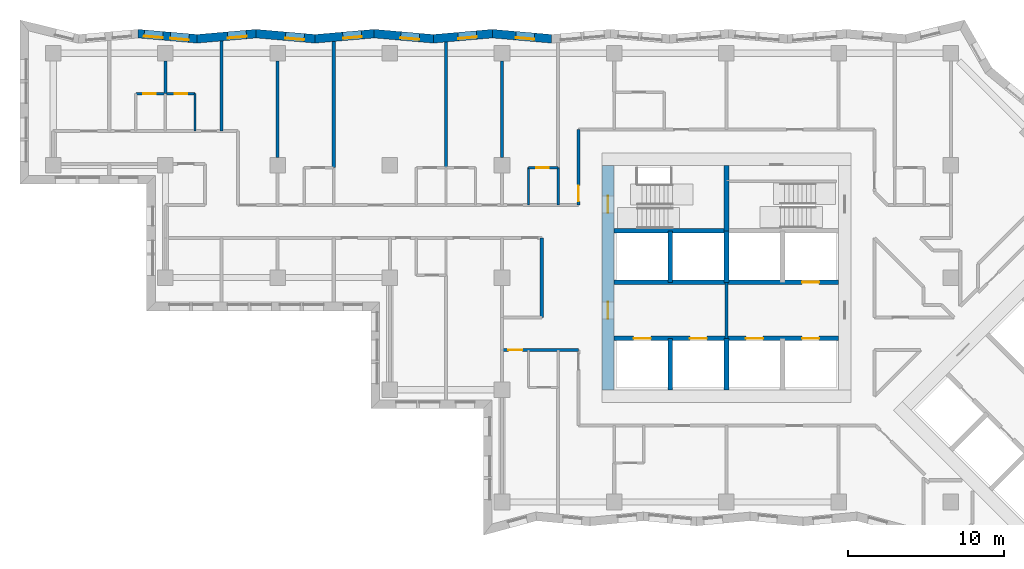
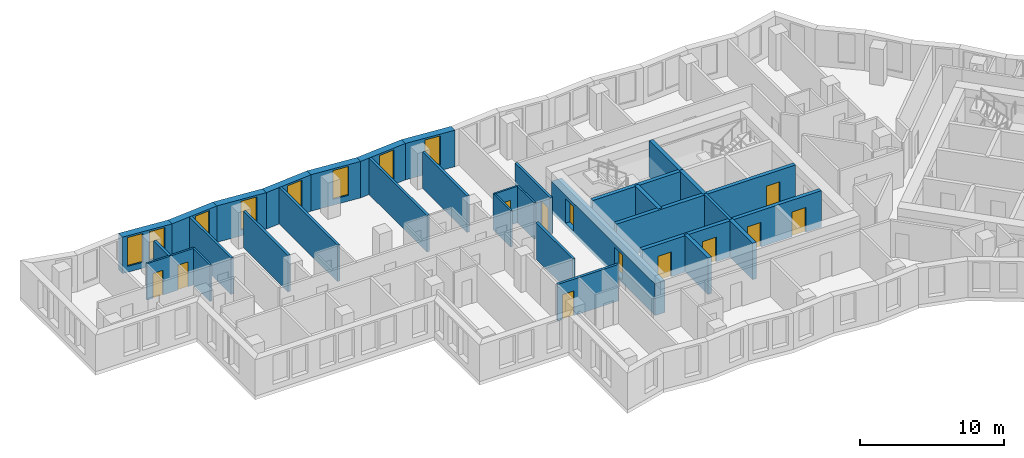
# One storey, part 5 of 12: 31 walls, 12 doors, 8 windows, 20 openings.
"""IFC4 building model written with IfcOpenShell, lengths in metres."""

from ifc_helpers import new_model, si_unit, direction, frame, frame_2d, origin, place, context, subcontext, project, spatial, polyline, rectangle, outline, extrude, material, layer, layer_set, type_object, element, fill, save


model = new_model("IFC4")

# Units and contexts
model_context = context("Model", 3, precision=1e-05, world=origin(), true_north=direction((0.0, 1.0)))
body_context = subcontext(model_context, "Body", "Model", "MODEL_VIEW")
ifc_project = project(units=[si_unit("LENGTHUNIT", "METRE"), si_unit("AREAUNIT", "SQUARE_METRE"), si_unit("VOLUMEUNIT", "CUBIC_METRE"), si_unit("PLANEANGLEUNIT", "RADIAN"), si_unit("MASSUNIT", "GRAM", prefix="KILO")], contexts=[model_context])

# Site, building, storey
site_placement = place(None, origin())
site = spatial("IfcSite", under=ifc_project, at=site_placement, CompositionType="ELEMENT")
building_placement = place(site_placement, origin())
building = spatial("IfcBuilding", under=site, at=building_placement, Name="Windrow Commons", CompositionType="ELEMENT")
storey_placement = place(building_placement, frame((0.0, 0.0, 84.6)))
storey = spatial("IfcBuildingStorey", under=building, at=storey_placement, Name="L22", CompositionType="ELEMENT", Elevation=84.6)

# Wall, opening, window
ifc_material_1 = material(Name="Brick masonry, red clay brick", Category="masonry")
ifc_layer_1 = layer(ifc_material_1, 0.55)
ifc_layer_set_1 = layer_set([ifc_layer_1], Name="Brick facade wall 550")
wall_type_1 = type_object("IfcWallType", Name="Brick facade wall 550", PredefinedType="SOLIDWALL", material=ifc_layer_set_1)
wall_1_placement = place(storey_placement, frame((53.5644, 72.924, 0.0), z_axis=(0.0, 0.0, 1.0), x_axis=(-0.9962271558, 0.0867839505, 0.0)))
wall_1 = element("IfcWall", 1, at=wall_1_placement, inside=storey, type_object=wall_type_1, Name="Brick facade wall L22 28", PredefinedType="SOLIDWALL", context=body_context, shape_type="SweptSolid", body=[
    extrude(outline(polyline([(0.024, -0.275), (3.8266, -0.275), (3.7787, 0.275), (-0.024, 0.275), (0.024, -0.275)])), origin(), (0.0, 0.0, 1.0), 3.1),
])
opening_1_placement = place(wall_1_placement, frame((1.0882, 0.0, 0.5)))
opening_1 = element("IfcOpeningElement", 2, at=opening_1_placement, cuts=wall_1, Name="Opening W7D", PredefinedType="OPENING", context=body_context, shape_type="SweptSolid", body=[
    extrude(rectangle(XDim=1.2, YDim=2.45, at=frame_2d((0.6, 1.225))), frame((0.0, 0.285, 0.0), z_axis=(0.0, -1.0, 0.0), x_axis=(1.0, 0.0, 0.0)), (0.0, 0.0, 1.0), 0.57),
])
ifc_material_2 = material(Name="Clear float glass in anodised aluminium frame", Category="aluminium")
window_type = type_object("IfcWindowType", Name="Window W7 notch 1200x2450", PartitioningType="SINGLE_PANEL", PredefinedType="WINDOW", material=ifc_material_2)
window_1_placement = place(opening_1_placement, origin())
window_1 = element("IfcWindow", 3, at=window_1_placement, inside=storey, type_object=window_type, Name="Window L22 28.1", OverallHeight=2.45, OverallWidth=1.2, PartitioningType="SINGLE_PANEL", PredefinedType="WINDOW", context=body_context, shape_type="SweptSolid", body=[
    extrude(rectangle(XDim=1.2, YDim=2.45, at=frame_2d((0.6, 1.225))), frame((0.0, 0.155, 0.0), z_axis=(0.0, -1.0, 0.0), x_axis=(1.0, 0.0, 0.0)), (0.0, 0.0, 1.0), 0.06),
])
fill(opening_1, window_1)

wall_2_placement = place(storey_placement, frame((49.7762, 73.254, 0.0), z_axis=(0.0, 0.0, 1.0), x_axis=(-0.9962273538, -0.0867816769, 0.0)))
wall_2 = element("IfcWall", 4, at=wall_2_placement, inside=storey, type_object=wall_type_1, Name="Brick facade wall L22 29", PredefinedType="SOLIDWALL", context=body_context, shape_type="SweptSolid", body=[
    extrude(outline(polyline([(-0.024, -0.275), (3.7787, -0.275), (3.8266, 0.275), (0.024, 0.275), (-0.024, -0.275)])), origin(), (0.0, 0.0, 1.0), 3.1),
])
opening_2_placement = place(wall_2_placement, frame((1.0057, 0.0, 0.5)))
opening_2 = element("IfcOpeningElement", 5, at=opening_2_placement, cuts=wall_2, Name="Opening W7D", PredefinedType="OPENING", context=body_context, shape_type="SweptSolid", body=[
    extrude(rectangle(XDim=1.2, YDim=2.45, at=frame_2d((0.6, 1.225))), frame((0.0, 0.285, 0.0), z_axis=(0.0, -1.0, 0.0), x_axis=(1.0, 0.0, 0.0)), (0.0, 0.0, 1.0), 0.57),
])
window_2_placement = place(opening_2_placement, origin())
window_2 = element("IfcWindow", 6, at=window_2_placement, inside=storey, type_object=window_type, Name="Window L22 29.1", OverallHeight=2.45, OverallWidth=1.2, PartitioningType="SINGLE_PANEL", PredefinedType="WINDOW", context=body_context, shape_type="SweptSolid", body=[
    extrude(rectangle(XDim=1.2, YDim=2.45, at=frame_2d((0.6, 1.225))), frame((0.0, 0.155, 0.0), z_axis=(0.0, -1.0, 0.0), x_axis=(1.0, 0.0, 0.0)), (0.0, 0.0, 1.0), 0.06),
])
fill(opening_2, window_2)

wall_3_placement = place(storey_placement, frame((45.9879, 72.924, 0.0), z_axis=(0.0, 0.0, 1.0), x_axis=(-0.9962273538, 0.0867816769, 0.0)))
wall_3 = element("IfcWall", 7, at=wall_3_placement, inside=storey, type_object=wall_type_1, Name="Brick facade wall L22 30", PredefinedType="SOLIDWALL", context=body_context, shape_type="SweptSolid", body=[
    extrude(outline(polyline([(0.024, -0.275), (3.8266, -0.275), (3.7787, 0.275), (-0.024, 0.275), (0.024, -0.275)])), origin(), (0.0, 0.0, 1.0), 3.1),
])
opening_3_placement = place(wall_3_placement, frame((0.8992, 0.0, 0.5)))
opening_3 = element("IfcOpeningElement", 8, at=opening_3_placement, cuts=wall_3, Name="Opening W7D", PredefinedType="OPENING", context=body_context, shape_type="SweptSolid", body=[
    extrude(rectangle(XDim=1.2, YDim=2.45, at=frame_2d((0.6, 1.225))), frame((0.0, 0.285, 0.0), z_axis=(0.0, -1.0, 0.0), x_axis=(1.0, 0.0, 0.0)), (0.0, 0.0, 1.0), 0.57),
])
window_3_placement = place(opening_3_placement, origin())
window_3 = element("IfcWindow", 9, at=window_3_placement, inside=storey, type_object=window_type, Name="Window L22 30.1", OverallHeight=2.45, OverallWidth=1.2, PartitioningType="SINGLE_PANEL", PredefinedType="WINDOW", context=body_context, shape_type="SweptSolid", body=[
    extrude(rectangle(XDim=1.2, YDim=2.45, at=frame_2d((0.6, 1.225))), frame((0.0, 0.155, 0.0), z_axis=(0.0, -1.0, 0.0), x_axis=(1.0, 0.0, 0.0)), (0.0, 0.0, 1.0), 0.06),
])
fill(opening_3, window_3)

wall_4_placement = place(storey_placement, frame((42.1996, 73.254, 0.0), z_axis=(0.0, 0.0, 1.0), x_axis=(-0.9962273538, -0.0867816769, 0.0)))
wall_4 = element("IfcWall", 10, at=wall_4_placement, inside=storey, type_object=wall_type_1, Name="Brick facade wall L22 31", PredefinedType="SOLIDWALL", context=body_context, shape_type="SweptSolid", body=[
    extrude(outline(polyline([(-0.024, -0.275), (3.7787, -0.275), (3.8266, 0.275), (0.024, 0.275), (-0.024, -0.275)])), origin(), (0.0, 0.0, 1.0), 3.1),
])
opening_4_placement = place(wall_4_placement, frame((0.8167, 0.0, 0.5)))
opening_4 = element("IfcOpeningElement", 11, at=opening_4_placement, cuts=wall_4, Name="Opening W7D", PredefinedType="OPENING", context=body_context, shape_type="SweptSolid", body=[
    extrude(rectangle(XDim=1.2, YDim=2.45, at=frame_2d((0.6, 1.225))), frame((0.0, 0.285, 0.0), z_axis=(0.0, -1.0, 0.0), x_axis=(1.0, 0.0, 0.0)), (0.0, 0.0, 1.0), 0.57),
])
window_4_placement = place(opening_4_placement, origin())
window_4 = element("IfcWindow", 12, at=window_4_placement, inside=storey, type_object=window_type, Name="Window L22 31.1", OverallHeight=2.45, OverallWidth=1.2, PartitioningType="SINGLE_PANEL", PredefinedType="WINDOW", context=body_context, shape_type="SweptSolid", body=[
    extrude(rectangle(XDim=1.2, YDim=2.45, at=frame_2d((0.6, 1.225))), frame((0.0, 0.155, 0.0), z_axis=(0.0, -1.0, 0.0), x_axis=(1.0, 0.0, 0.0)), (0.0, 0.0, 1.0), 0.06),
])
fill(opening_4, window_4)

wall_5_placement = place(storey_placement, frame((38.4113, 72.924, 0.0), z_axis=(0.0, 0.0, 1.0), x_axis=(-0.9962271558, 0.0867839505, 0.0)))
wall_5 = element("IfcWall", 13, at=wall_5_placement, inside=storey, type_object=wall_type_1, Name="Brick facade wall L22 32", PredefinedType="SOLIDWALL", context=body_context, shape_type="SweptSolid", body=[
    extrude(outline(polyline([(0.024, -0.275), (3.8266, -0.275), (3.7787, 0.275), (-0.024, 0.275), (0.024, -0.275)])), origin(), (0.0, 0.0, 1.0), 3.1),
])
opening_5_placement = place(wall_5_placement, frame((0.7102, 0.0, 0.5)))
opening_5 = element("IfcOpeningElement", 14, at=opening_5_placement, cuts=wall_5, Name="Opening W7D", PredefinedType="OPENING", context=body_context, shape_type="SweptSolid", body=[
    extrude(rectangle(XDim=1.2, YDim=2.45, at=frame_2d((0.6, 1.225))), frame((0.0, 0.285, 0.0), z_axis=(0.0, -1.0, 0.0), x_axis=(1.0, 0.0, 0.0)), (0.0, 0.0, 1.0), 0.57),
])
window_5_placement = place(opening_5_placement, origin())
window_5 = element("IfcWindow", 15, at=window_5_placement, inside=storey, type_object=window_type, Name="Window L22 32.1", OverallHeight=2.45, OverallWidth=1.2, PartitioningType="SINGLE_PANEL", PredefinedType="WINDOW", context=body_context, shape_type="SweptSolid", body=[
    extrude(rectangle(XDim=1.2, YDim=2.45, at=frame_2d((0.6, 1.225))), frame((0.0, 0.155, 0.0), z_axis=(0.0, -1.0, 0.0), x_axis=(1.0, 0.0, 0.0)), (0.0, 0.0, 1.0), 0.06),
])
fill(opening_5, window_5)

wall_6_placement = place(storey_placement, frame((34.6231, 73.254, 0.0), z_axis=(0.0, 0.0, 1.0), x_axis=(-0.9962273538, -0.0867816769, 0.0)))
wall_6 = element("IfcWall", 16, at=wall_6_placement, inside=storey, type_object=wall_type_1, Name="Brick facade wall L22 33", PredefinedType="SOLIDWALL", context=body_context, shape_type="SweptSolid", body=[
    extrude(outline(polyline([(-0.024, -0.275), (3.7787, -0.275), (3.8266, 0.275), (0.024, 0.275), (-0.024, -0.275)])), origin(), (0.0, 0.0, 1.0), 3.1),
])
opening_6_placement = place(wall_6_placement, frame((0.6277, 0.0, 0.5)))
opening_6 = element("IfcOpeningElement", 17, at=opening_6_placement, cuts=wall_6, Name="Opening W7D", PredefinedType="OPENING", context=body_context, shape_type="SweptSolid", body=[
    extrude(rectangle(XDim=1.2, YDim=2.45, at=frame_2d((0.6, 1.225))), frame((0.0, 0.285, 0.0), z_axis=(0.0, -1.0, 0.0), x_axis=(1.0, 0.0, 0.0)), (0.0, 0.0, 1.0), 0.57),
])
window_6_placement = place(opening_6_placement, origin())
window_6 = element("IfcWindow", 18, at=window_6_placement, inside=storey, type_object=window_type, Name="Window L22 33.1", OverallHeight=2.45, OverallWidth=1.2, PartitioningType="SINGLE_PANEL", PredefinedType="WINDOW", context=body_context, shape_type="SweptSolid", body=[
    extrude(rectangle(XDim=1.2, YDim=2.45, at=frame_2d((0.6, 1.225))), frame((0.0, 0.155, 0.0), z_axis=(0.0, -1.0, 0.0), x_axis=(1.0, 0.0, 0.0)), (0.0, 0.0, 1.0), 0.06),
])
fill(opening_6, window_6)

# Wall, openings, windows
wall_7_placement = place(storey_placement, frame((30.8348, 72.924, 0.0), z_axis=(0.0, 0.0, 1.0), x_axis=(-0.9962273538, 0.0867816769, 0.0)))
wall_7 = element("IfcWall", 19, at=wall_7_placement, inside=storey, type_object=wall_type_1, Name="Brick facade wall L22 34", PredefinedType="SOLIDWALL", context=body_context, shape_type="SweptSolid", body=[
    extrude(outline(polyline([(0.024, -0.275), (3.8266, -0.275), (3.7787, 0.275), (-0.024, 0.275), (0.024, -0.275)])), origin(), (0.0, 0.0, 1.0), 3.1),
])
opening_7_placement = place(wall_7_placement, frame((0.5213, 0.0, 0.5)))
opening_7 = element("IfcOpeningElement", 20, at=opening_7_placement, cuts=wall_7, Name="Opening W7D", PredefinedType="OPENING", context=body_context, shape_type="SweptSolid", body=[
    extrude(rectangle(XDim=1.2, YDim=2.45, at=frame_2d((0.6, 1.225))), frame((0.0, 0.285, 0.0), z_axis=(0.0, -1.0, 0.0), x_axis=(1.0, 0.0, 0.0)), (0.0, 0.0, 1.0), 0.57),
])
opening_8_placement = place(wall_7_placement, frame((2.2106, 0.0, 0.5)))
opening_8 = element("IfcOpeningElement", 21, at=opening_8_placement, cuts=wall_7, Name="Opening W7D", PredefinedType="OPENING", context=body_context, shape_type="SweptSolid", body=[
    extrude(rectangle(XDim=1.2, YDim=2.45, at=frame_2d((0.6, 1.225))), frame((0.0, 0.285, 0.0), z_axis=(0.0, -1.0, 0.0), x_axis=(1.0, 0.0, 0.0)), (0.0, 0.0, 1.0), 0.57),
])
window_7_placement = place(opening_7_placement, origin())
window_7 = element("IfcWindow", 22, at=window_7_placement, inside=storey, type_object=window_type, Name="Window L22 34.1", OverallHeight=2.45, OverallWidth=1.2, PartitioningType="SINGLE_PANEL", PredefinedType="WINDOW", context=body_context, shape_type="SweptSolid", body=[
    extrude(rectangle(XDim=1.2, YDim=2.45, at=frame_2d((0.6, 1.225))), frame((0.0, 0.155, 0.0), z_axis=(0.0, -1.0, 0.0), x_axis=(1.0, 0.0, 0.0)), (0.0, 0.0, 1.0), 0.06),
])
fill(opening_7, window_7)
window_8_placement = place(opening_8_placement, origin())
window_8 = element("IfcWindow", 23, at=window_8_placement, inside=storey, type_object=window_type, Name="Window L22 34.2", OverallHeight=2.45, OverallWidth=1.2, PartitioningType="SINGLE_PANEL", PredefinedType="WINDOW", context=body_context, shape_type="SweptSolid", body=[
    extrude(rectangle(XDim=1.2, YDim=2.45, at=frame_2d((0.6, 1.225))), frame((0.0, 0.155, 0.0), z_axis=(0.0, -1.0, 0.0), x_axis=(1.0, 0.0, 0.0)), (0.0, 0.0, 1.0), 0.06),
])
fill(opening_8, window_8)

# Walls
ifc_material_3 = material(Name="Blockwork partition", Category="masonry")
ifc_layer_2 = layer(ifc_material_3, 0.2)
ifc_layer_set_2 = layer_set([ifc_layer_2], Name="Fire lobby partition 200")
wall_type_2 = type_object("IfcWallType", Name="Fire lobby partition 200", PredefinedType="PARTITIONING", material=ifc_layer_set_2)
wall_8_placement = place(storey_placement, frame((64.8, 53.7, 0.0), z_axis=(0.0, 0.0, 1.0), x_axis=(0.0, 1.0, 0.0)))
element("IfcWall", 24, at=wall_8_placement, inside=storey, type_object=wall_type_2, Name="W-core-lobby-A-L22", PredefinedType="PARTITIONING", context=body_context, shape_type="SweptSolid", body=[
    extrude(rectangle(XDim=3.6, YDim=0.2, at=frame_2d((1.8, 0.0))), origin(), (0.0, 0.0, 1.0), 3.1),
])
ifc_material_4 = material(Name="Blockwork partition", Category="masonry")
ifc_layer_3 = layer(ifc_material_4, 0.2)
ifc_layer_set_3 = layer_set([ifc_layer_3], Name="IW-CORRIDOR-200")
wall_type_3 = type_object("IfcWallType", Name="IW-CORRIDOR-200", PredefinedType="PARTITIONING", material=ifc_layer_set_3)
wall_9_placement = place(storey_placement, frame((52.95, 55.05, 0.0), z_axis=(0.0, 0.0, 1.0), x_axis=(0.0, 1.0, 0.0)))
element("IfcWall", 25, at=wall_9_placement, inside=storey, type_object=wall_type_3, Name="W-L22-W036", PredefinedType="PARTITIONING", context=body_context, shape_type="SweptSolid", body=[
    extrude(rectangle(XDim=5.1, YDim=0.2, at=frame_2d((2.55, 0.0))), origin(), (0.0, 0.0, 1.0), 3.1),
])

# Wall, opening, door
wall_10_placement = place(storey_placement, frame((50.4, 52.95, 0.0), z_axis=(0.0, 0.0, 1.0), x_axis=(1.0, 0.0, 0.0)))
wall_10 = element("IfcWall", 26, at=wall_10_placement, inside=storey, type_object=wall_type_3, Name="W-L22-W039", PredefinedType="PARTITIONING", context=body_context, shape_type="SweptSolid", body=[
    extrude(rectangle(XDim=4.9, YDim=0.2, at=frame_2d((2.45, 0.0))), origin(), (0.0, 0.0, 1.0), 3.1),
])
opening_9_placement = place(wall_10_placement, frame((0.4, 0.0, 0.0)))
opening_9 = element("IfcOpeningElement", 27, at=opening_9_placement, cuts=wall_10, Name="Opening D109S", PredefinedType="OPENING", context=body_context, shape_type="SweptSolid", body=[
    extrude(rectangle(XDim=0.9, YDim=2.1, at=frame_2d((0.45, 1.05))), frame((0.0, 0.11, 0.0), z_axis=(0.0, -1.0, 0.0), x_axis=(1.0, 0.0, 0.0)), (0.0, 0.0, 1.0), 0.22),
])
ifc_material_5 = material(Name="Timber door leaf", Category="wood")
door_type_1 = type_object("IfcDoorType", Name="DT-BEDROOM-900", OperationType="SINGLE_SWING_LEFT", PredefinedType="DOOR", material=ifc_material_5)
door_1_placement = place(opening_9_placement, origin())
door_1 = element("IfcDoor", 28, at=door_1_placement, inside=storey, type_object=door_type_1, Name="D-L22-D031", OperationType="SINGLE_SWING_LEFT", OverallHeight=2.1, OverallWidth=0.9, PredefinedType="DOOR", context=body_context, shape_type="SweptSolid", body=[
    extrude(rectangle(XDim=0.9, YDim=2.1, at=frame_2d((0.45, 1.05))), frame((0.0, 0.025, 0.0), z_axis=(0.0, -1.0, 0.0), x_axis=(1.0, 0.0, 0.0)), (0.0, 0.0, 1.0), 0.05),
])
fill(opening_9, door_1)

wall_11_placement = place(storey_placement, frame((55.3, 62.252, 0.0), z_axis=(0.0, 0.0, 1.0), x_axis=(0.0, 1.0, 0.0)))
wall_11 = element("IfcWall", 29, at=wall_11_placement, inside=storey, type_object=wall_type_3, Name="W-L22-W041", PredefinedType="PARTITIONING", context=body_context, shape_type="SweptSolid", body=[
    extrude(rectangle(XDim=4.848, YDim=0.2, at=frame_2d((2.424, 0.0))), origin(), (0.0, 0.0, 1.0), 3.1),
])
opening_10_placement = place(wall_11_placement, frame((0.2429, 0.0, 0.0)))
opening_10 = element("IfcOpeningElement", 30, at=opening_10_placement, cuts=wall_11, Name="Opening D310F", PredefinedType="OPENING", context=body_context, shape_type="SweptSolid", body=[
    extrude(rectangle(XDim=1.0, YDim=2.1, at=frame_2d((0.5, 1.05))), frame((0.0, 0.11, 0.0), z_axis=(0.0, -1.0, 0.0), x_axis=(1.0, 0.0, 0.0)), (0.0, 0.0, 1.0), 0.22),
])
ifc_material_6 = material(Name="Timber door leaf", Category="wood")
door_type_2 = type_object("IfcDoorType", Name="DT-AMENITY-1000", OperationType="SINGLE_SWING_LEFT", PredefinedType="DOOR", material=ifc_material_6)
door_2_placement = place(opening_10_placement, origin())
door_2 = element("IfcDoor", 31, at=door_2_placement, inside=storey, type_object=door_type_2, Name="D-L22-D021", OperationType="SINGLE_SWING_LEFT", OverallHeight=2.1, OverallWidth=1.0, PredefinedType="DOOR", context=body_context, shape_type="SweptSolid", body=[
    extrude(rectangle(XDim=1.0, YDim=2.1, at=frame_2d((0.5, 1.05))), frame((0.0, 0.025, 0.0), z_axis=(0.0, -1.0, 0.0), x_axis=(1.0, 0.0, 0.0)), (0.0, 0.0, 1.0), 0.05),
])
fill(opening_10, door_2)

# Wall, openings, doors
ifc_material_7 = material(Name="Blockwork partition", Category="masonry")
ifc_layer_4 = layer(ifc_material_7, 0.15)
ifc_layer_set_4 = layer_set([ifc_layer_4], Name="IW-ENSUITE-150")
wall_type_4 = type_object("IfcWallType", Name="IW-ENSUITE-150", PredefinedType="PARTITIONING", material=ifc_layer_set_4)
wall_12_placement = place(storey_placement, frame((26.9, 69.4, 0.0), z_axis=(0.0, 0.0, 1.0), x_axis=(1.0, 0.0, 0.0)))
wall_12 = element("IfcWall", 32, at=wall_12_placement, inside=storey, type_object=wall_type_4, Name="W-L22-W056", PredefinedType="PARTITIONING", context=body_context, shape_type="SweptSolid", body=[
    extrude(rectangle(XDim=3.8, YDim=0.15, at=frame_2d((1.9, 0.0))), origin(), (0.0, 0.0, 1.0), 3.1),
])
opening_11_placement = place(wall_12_placement, frame((0.4931, 0.0, 0.0)))
opening_11 = element("IfcOpeningElement", 33, at=opening_11_placement, cuts=wall_12, Name="Opening D208N", PredefinedType="OPENING", context=body_context, shape_type="SweptSolid", body=[
    extrude(rectangle(XDim=0.8, YDim=2.1, at=frame_2d((0.4, 1.05))), frame((0.0, 0.085, 0.0), z_axis=(0.0, -1.0, 0.0), x_axis=(1.0, 0.0, 0.0)), (0.0, 0.0, 1.0), 0.17),
])
opening_12_placement = place(wall_12_placement, frame((2.5069, 0.0, 0.0)))
opening_12 = element("IfcOpeningElement", 34, at=opening_12_placement, cuts=wall_12, Name="Opening D208N", PredefinedType="OPENING", context=body_context, shape_type="SweptSolid", body=[
    extrude(rectangle(XDim=0.8, YDim=2.1, at=frame_2d((0.4, 1.05))), frame((0.0, 0.085, 0.0), z_axis=(0.0, -1.0, 0.0), x_axis=(1.0, 0.0, 0.0)), (0.0, 0.0, 1.0), 0.17),
])
ifc_material_8 = material(Name="Timber door leaf", Category="wood")
door_type_3 = type_object("IfcDoorType", Name="DT-ENSUITE-800", OperationType="SINGLE_SWING_LEFT", PredefinedType="DOOR", material=ifc_material_8)
door_3_placement = place(opening_11_placement, origin())
door_3 = element("IfcDoor", 35, at=door_3_placement, inside=storey, type_object=door_type_3, Name="D-L22-D003", OperationType="SINGLE_SWING_RIGHT", OverallHeight=2.1, OverallWidth=0.8, PredefinedType="DOOR", context=body_context, shape_type="SweptSolid", body=[
    extrude(rectangle(XDim=0.8, YDim=2.1, at=frame_2d((0.4, 1.05))), frame((0.0, 0.025, 0.0), z_axis=(0.0, -1.0, 0.0), x_axis=(1.0, 0.0, 0.0)), (0.0, 0.0, 1.0), 0.05),
])
fill(opening_11, door_3)
door_4_placement = place(opening_12_placement, origin())
door_4 = element("IfcDoor", 36, at=door_4_placement, inside=storey, type_object=door_type_3, Name="D-L22-D005", OperationType="SINGLE_SWING_RIGHT", OverallHeight=2.1, OverallWidth=0.8, PredefinedType="DOOR", context=body_context, shape_type="SweptSolid", body=[
    extrude(rectangle(XDim=0.8, YDim=2.1, at=frame_2d((0.4, 1.05))), frame((0.0, 0.025, 0.0), z_axis=(0.0, -1.0, 0.0), x_axis=(1.0, 0.0, 0.0)), (0.0, 0.0, 1.0), 0.05),
])
fill(opening_12, door_4)

# Walls
for number, where, z_axis, x_axis, name in (
    (37, (30.7, 67.0, 0.0), (0.0, 0.0, 1.0), (0.0, 1.0, 0.0), "W-L22-W073"),
    (38, (52.1, 62.25, 0.0), (0.0, 0.0, 1.0), (0.0, 1.0, 0.0), "W-L22-W080"),
    (39, (54.0, 62.25, 0.0), (0.0, 0.0, 1.0), (0.0, 1.0, 0.0), "W-L22-W082"),
):
    element("IfcWall", number, at=place(storey_placement, frame(where, z_axis=z_axis, x_axis=x_axis)), inside=storey, type_object=wall_type_4, Name=name, PredefinedType="PARTITIONING", context=body_context, shape_type="SweptSolid", body=[
        extrude(rectangle(XDim=2.4, YDim=0.15, at=frame_2d((1.2, 0.0))), origin(), (0.0, 0.0, 1.0), 3.1),
    ])

# Wall, opening, door
wall_13_placement = place(storey_placement, frame((52.1, 64.65, 0.0), z_axis=(0.0, 0.0, 1.0), x_axis=(1.0, 0.0, 0.0)))
wall_13 = element("IfcWall", 40, at=wall_13_placement, inside=storey, type_object=wall_type_4, Name="W-L22-W127", PredefinedType="PARTITIONING", context=body_context, shape_type="SweptSolid", body=[
    extrude(rectangle(XDim=1.9, YDim=0.15, at=frame_2d((0.95, 0.0))), origin(), (0.0, 0.0, 1.0), 3.1),
])
opening_13_placement = place(wall_13_placement, frame((0.4931, 0.0, 0.0)))
opening_13 = element("IfcOpeningElement", 41, at=opening_13_placement, cuts=wall_13, Name="Opening D208N", PredefinedType="OPENING", context=body_context, shape_type="SweptSolid", body=[
    extrude(rectangle(XDim=0.8, YDim=2.1, at=frame_2d((0.4, 1.05))), frame((0.0, 0.085, 0.0), z_axis=(0.0, -1.0, 0.0), x_axis=(1.0, 0.0, 0.0)), (0.0, 0.0, 1.0), 0.17),
])
door_5_placement = place(opening_13_placement, origin())
door_5 = element("IfcDoor", 42, at=door_5_placement, inside=storey, type_object=door_type_3, Name="D-L22-D020", OperationType="SINGLE_SWING_RIGHT", OverallHeight=2.1, OverallWidth=0.8, PredefinedType="DOOR", context=body_context, shape_type="SweptSolid", body=[
    extrude(rectangle(XDim=0.8, YDim=2.1, at=frame_2d((0.4, 1.05))), frame((0.0, 0.025, 0.0), z_axis=(0.0, -1.0, 0.0), x_axis=(1.0, 0.0, 0.0)), (0.0, 0.0, 1.0), 0.05),
])
fill(opening_13, door_5)

# Walls
ifc_material_9 = material(Name="Blockwork partition", Category="masonry")
ifc_layer_5 = layer(ifc_material_9, 0.2)
ifc_layer_set_5 = layer_set([ifc_layer_5], Name="IW-PARTY-200")
wall_type_5 = type_object("IfcWallType", Name="IW-PARTY-200", PredefinedType="PARTITIONING", material=ifc_layer_set_5)
wall_14_placement = place(storey_placement, frame((39.6, 64.65, 0.0), z_axis=(0.0, 0.0, 1.0), x_axis=(0.0, 1.0, 0.0)))
element("IfcWall", 43, at=wall_14_placement, inside=storey, type_object=wall_type_5, Name="W-L22-W014", PredefinedType="PARTITIONING", context=body_context, shape_type="SweptSolid", body=[
    extrude(rectangle(XDim=8.1015, YDim=0.2, at=frame_2d((4.0507, 0.0))), origin(), (0.0, 0.0, 1.0), 3.1),
])
wall_15_placement = place(storey_placement, frame((46.8, 64.65, 0.0), z_axis=(0.0, 0.0, 1.0), x_axis=(0.0, 1.0, 0.0)))
element("IfcWall", 44, at=wall_15_placement, inside=storey, type_object=wall_type_5, Name="W-L22-W016", PredefinedType="PARTITIONING", context=body_context, shape_type="SweptSolid", body=[
    extrude(rectangle(XDim=8.0687, YDim=0.2, at=frame_2d((4.0343, 0.0))), origin(), (0.0, 0.0, 1.0), 3.1),
])
for number, where, z_axis, x_axis, name in (
    (45, (36.0, 65.3, 0.0), (0.0, 0.0, 1.0), (0.0, 1.0, 0.0), "W-L22-W023"),
    (46, (50.4, 65.3, 0.0), (0.0, 0.0, 1.0), (0.0, 1.0, 0.0), "W-L22-W025"),
):
    element("IfcWall", number, at=place(storey_placement, frame(where, z_axis=z_axis, x_axis=x_axis)), inside=storey, type_object=wall_type_5, Name=name, PredefinedType="PARTITIONING", context=body_context, shape_type="SweptSolid", body=[
        extrude(rectangle(XDim=6.2, YDim=0.2, at=frame_2d((3.1, 0.0))), origin(), (0.0, 0.0, 1.0), 3.1),
    ])
wall_16_placement = place(storey_placement, frame((32.4, 67.0, 0.0), z_axis=(0.0, 0.0, 1.0), x_axis=(0.0, 1.0, 0.0)))
element("IfcWall", 47, at=wall_16_placement, inside=storey, type_object=wall_type_5, Name="W-L22-W034", PredefinedType="PARTITIONING", context=body_context, shape_type="SweptSolid", body=[
    extrude(rectangle(XDim=5.7843, YDim=0.2, at=frame_2d((2.8921, 0.0))), origin(), (0.0, 0.0, 1.0), 3.1),
])
wall_17_placement = place(storey_placement, frame((28.8, 69.4, 0.0), z_axis=(0.0, 0.0, 1.0), x_axis=(0.0, 1.0, 0.0)))
element("IfcWall", 48, at=wall_17_placement, inside=storey, type_object=wall_type_5, Name="W-L22-W104", PredefinedType="PARTITIONING", context=body_context, shape_type="SweptSolid", body=[
    extrude(rectangle(XDim=2.1, YDim=0.2, at=frame_2d((1.05, 0.0))), origin(), (0.0, 0.0, 1.0), 3.1),
])

# Wall, openings, doors
ifc_material_10 = material(Name="Concrete C50/60", Category="concrete")
ifc_layer_6 = layer(ifc_material_10, 0.8)
ifc_layer_set_6 = layer_set([ifc_layer_6], Name="RC CORE WALL 800 C50/60")
wall_type_6 = type_object("IfcWallType", Name="RC CORE WALL 800 C50/60", PredefinedType="SHEAR", material=ifc_layer_set_6)
wall_18_placement = place(storey_placement, frame((57.2, 50.4, -0.3), z_axis=(0.0, 0.0, 1.0), x_axis=(0.0, 1.0, 0.0)))
wall_18 = element("IfcWall", 49, at=wall_18_placement, inside=storey, type_object=wall_type_6, Name="Core A wall outer-W", PredefinedType="SHEAR", context=body_context, shape_type="SweptSolid", body=[
    extrude(rectangle(XDim=14.4, YDim=0.8, at=frame_2d((7.2, 0.0))), origin(), (0.0, 0.0, 1.0), 2.7),
])
opening_14_placement = place(wall_18_placement, frame((4.55, 0.0, 0.3)))
opening_14 = element("IfcOpeningElement", 50, at=opening_14_placement, cuts=wall_18, Name="Opening D6", PredefinedType="OPENING", context=body_context, shape_type="SweptSolid", body=[
    extrude(rectangle(XDim=1.1, YDim=2.1, at=frame_2d((0.55, 1.05))), frame((0.0, 0.41, 0.0), z_axis=(0.0, -1.0, 0.0), x_axis=(1.0, 0.0, 0.0)), (0.0, 0.0, 1.0), 0.82),
])
opening_15_placement = place(wall_18_placement, frame((11.35, 0.0, 0.3)))
opening_15 = element("IfcOpeningElement", 51, at=opening_15_placement, cuts=wall_18, Name="Opening D7", PredefinedType="OPENING", context=body_context, shape_type="SweptSolid", body=[
    extrude(rectangle(XDim=1.1, YDim=2.1, at=frame_2d((0.55, 1.05))), frame((0.0, 0.41, 0.0), z_axis=(0.0, -1.0, 0.0), x_axis=(1.0, 0.0, 0.0)), (0.0, 0.0, 1.0), 0.82),
])
ifc_material_11 = material(Name="Steel fire door leaf", Category="steel")
door_type_4 = type_object("IfcDoorType", Name="Core lobby door 1100", OperationType="SINGLE_SWING_LEFT", PredefinedType="DOOR", material=ifc_material_11)
door_6_placement = place(opening_14_placement, origin())
door_6 = element("IfcDoor", 52, at=door_6_placement, inside=storey, type_object=door_type_4, Name="Lift lobby door", OperationType="DOUBLE_DOOR_SINGLE_SWING", OverallHeight=2.1, OverallWidth=1.1, PredefinedType="DOOR", context=body_context, shape_type="SweptSolid", body=[
    extrude(rectangle(XDim=1.1, YDim=2.1, at=frame_2d((0.55, 1.05))), frame((0.0, 0.025, 0.0), z_axis=(0.0, -1.0, 0.0), x_axis=(1.0, 0.0, 0.0)), (0.0, 0.0, 1.0), 0.05),
])
fill(opening_14, door_6)
ifc_material_12 = material(Name="Steel fire door leaf", Category="steel")
door_type_5 = type_object("IfcDoorType", Name="Stair door 1100", OperationType="SINGLE_SWING_LEFT", PredefinedType="DOOR", material=ifc_material_12)
door_7_placement = place(opening_15_placement, origin())
door_7 = element("IfcDoor", 53, at=door_7_placement, inside=storey, type_object=door_type_5, Name="Stair door", OperationType="SINGLE_SWING_LEFT", OverallHeight=2.1, OverallWidth=1.1, PredefinedType="DOOR", context=body_context, shape_type="SweptSolid", body=[
    extrude(rectangle(XDim=1.1, YDim=2.1, at=frame_2d((0.55, 1.05))), frame((0.0, 0.025, 0.0), z_axis=(0.0, -1.0, 0.0), x_axis=(1.0, 0.0, 0.0)), (0.0, 0.0, 1.0), 0.05),
])
fill(opening_15, door_7)

# Walls
ifc_material_13 = material(Name="Concrete C50/60", Category="concrete")
ifc_layer_7 = layer(ifc_material_13, 0.3)
ifc_layer_set_7 = layer_set([ifc_layer_7], Name="RC SHAFT WALL 300 C50/60")
wall_type_7 = type_object("IfcWallType", Name="RC SHAFT WALL 300 C50/60", PredefinedType="SOLIDWALL", material=ifc_layer_set_7)
for number, where, z_axis, x_axis, name in (
    (54, (61.2, 50.4, 0.0), (0.0, 0.0, 1.0), (0.0, 1.0, 0.0), "Core A wall shaft-S1"),
    (55, (61.2, 57.3, 0.0), (0.0, 0.0, 1.0), (0.0, 1.0, 0.0), "Core A wall shaft-N1"),
    (56, (64.8, 50.4, 0.0), (0.0, 0.0, 1.0), (0.0, 1.0, 0.0), "Core A wall shaft-S2"),
    (57, (64.8, 57.3, 0.0), (0.0, 0.0, 1.0), (0.0, 1.0, 0.0), "Core A wall shaft-N2"),
):
    element("IfcWall", number, at=place(storey_placement, frame(where, z_axis=z_axis, x_axis=x_axis)), inside=storey, type_object=wall_type_7, Name=name, PredefinedType="SOLIDWALL", context=body_context, shape_type="SweptSolid", body=[
        extrude(rectangle(XDim=3.3, YDim=0.3, at=frame_2d((1.65, 0.0))), origin(), (0.0, 0.0, 1.0), 3.1),
    ])

# Wall, openings, doors
wall_19_placement = place(storey_placement, frame((57.6, 53.7, 0.0), z_axis=(0.0, 0.0, 1.0), x_axis=(1.0, 0.0, 0.0)))
wall_19 = element("IfcWall", 58, at=wall_19_placement, inside=storey, type_object=wall_type_7, Name="Core A wall lobby-S", PredefinedType="SOLIDWALL", context=body_context, shape_type="SweptSolid", body=[
    extrude(rectangle(XDim=14.4, YDim=0.3, at=frame_2d((7.2, 0.0))), origin(), (0.0, 0.0, 1.0), 3.1),
])
opening_16_placement = place(wall_19_placement, frame((1.25, 0.0, 0.0)))
opening_16 = element("IfcOpeningElement", 59, at=opening_16_placement, cuts=wall_19, Name="Opening LD", PredefinedType="OPENING", context=body_context, shape_type="SweptSolid", body=[
    extrude(rectangle(XDim=1.1, YDim=2.1, at=frame_2d((0.55, 1.05))), frame((0.0, 0.16, 0.0), z_axis=(0.0, -1.0, 0.0), x_axis=(1.0, 0.0, 0.0)), (0.0, 0.0, 1.0), 0.32),
])
opening_17_placement = place(wall_19_placement, frame((4.85, 0.0, 0.0)))
opening_17 = element("IfcOpeningElement", 60, at=opening_17_placement, cuts=wall_19, Name="Opening LD", PredefinedType="OPENING", context=body_context, shape_type="SweptSolid", body=[
    extrude(rectangle(XDim=1.1, YDim=2.1, at=frame_2d((0.55, 1.05))), frame((0.0, 0.16, 0.0), z_axis=(0.0, -1.0, 0.0), x_axis=(1.0, 0.0, 0.0)), (0.0, 0.0, 1.0), 0.32),
])
opening_18_placement = place(wall_19_placement, frame((8.45, 0.0, 0.0)))
opening_18 = element("IfcOpeningElement", 61, at=opening_18_placement, cuts=wall_19, Name="Opening LD", PredefinedType="OPENING", context=body_context, shape_type="SweptSolid", body=[
    extrude(rectangle(XDim=1.1, YDim=2.1, at=frame_2d((0.55, 1.05))), frame((0.0, 0.16, 0.0), z_axis=(0.0, -1.0, 0.0), x_axis=(1.0, 0.0, 0.0)), (0.0, 0.0, 1.0), 0.32),
])
opening_19_placement = place(wall_19_placement, frame((12.05, 0.0, 0.0)))
opening_19 = element("IfcOpeningElement", 62, at=opening_19_placement, cuts=wall_19, Name="Opening LD", PredefinedType="OPENING", context=body_context, shape_type="SweptSolid", body=[
    extrude(rectangle(XDim=1.1, YDim=2.1, at=frame_2d((0.55, 1.05))), frame((0.0, 0.16, 0.0), z_axis=(0.0, -1.0, 0.0), x_axis=(1.0, 0.0, 0.0)), (0.0, 0.0, 1.0), 0.32),
])
ifc_material_14 = material(Name="Stainless steel door leaf", Category="steel")
door_type_6 = type_object("IfcDoorType", Name="Lift landing door 1100", OperationType="SLIDING_TO_LEFT", PredefinedType="DOOR", material=ifc_material_14)
door_8_placement = place(opening_16_placement, origin())
door_8 = element("IfcDoor", 63, at=door_8_placement, inside=storey, type_object=door_type_6, Name="Lift landing door", OperationType="SLIDING_TO_LEFT", OverallHeight=2.1, OverallWidth=1.1, PredefinedType="DOOR", context=body_context, shape_type="SweptSolid", body=[
    extrude(rectangle(XDim=1.1, YDim=2.1, at=frame_2d((0.55, 1.05))), frame((0.0, 0.025, 0.0), z_axis=(0.0, -1.0, 0.0), x_axis=(1.0, 0.0, 0.0)), (0.0, 0.0, 1.0), 0.05),
])
fill(opening_16, door_8)
door_9_placement = place(opening_17_placement, origin())
door_9 = element("IfcDoor", 64, at=door_9_placement, inside=storey, type_object=door_type_6, Name="Lift landing door", OperationType="SLIDING_TO_RIGHT", OverallHeight=2.1, OverallWidth=1.1, PredefinedType="DOOR", context=body_context, shape_type="SweptSolid", body=[
    extrude(rectangle(XDim=1.1, YDim=2.1, at=frame_2d((0.55, 1.05))), frame((0.0, 0.025, 0.0), z_axis=(0.0, -1.0, 0.0), x_axis=(1.0, 0.0, 0.0)), (0.0, 0.0, 1.0), 0.05),
])
fill(opening_17, door_9)
door_10_placement = place(opening_18_placement, origin())
door_10 = element("IfcDoor", 65, at=door_10_placement, inside=storey, type_object=door_type_6, Name="Lift landing door", OperationType="SLIDING_TO_LEFT", OverallHeight=2.1, OverallWidth=1.1, PredefinedType="DOOR", context=body_context, shape_type="SweptSolid", body=[
    extrude(rectangle(XDim=1.1, YDim=2.1, at=frame_2d((0.55, 1.05))), frame((0.0, 0.025, 0.0), z_axis=(0.0, -1.0, 0.0), x_axis=(1.0, 0.0, 0.0)), (0.0, 0.0, 1.0), 0.05),
])
fill(opening_18, door_10)
door_11_placement = place(opening_19_placement, origin())
door_11 = element("IfcDoor", 66, at=door_11_placement, inside=storey, type_object=door_type_6, Name="Lift landing door", OperationType="SLIDING_TO_RIGHT", OverallHeight=2.1, OverallWidth=1.1, PredefinedType="DOOR", context=body_context, shape_type="SweptSolid", body=[
    extrude(rectangle(XDim=1.1, YDim=2.1, at=frame_2d((0.55, 1.05))), frame((0.0, 0.025, 0.0), z_axis=(0.0, -1.0, 0.0), x_axis=(1.0, 0.0, 0.0)), (0.0, 0.0, 1.0), 0.05),
])
fill(opening_19, door_11)

# Wall, opening, door
wall_20_placement = place(storey_placement, frame((57.6, 57.3, 0.0), z_axis=(0.0, 0.0, 1.0), x_axis=(1.0, 0.0, 0.0)))
wall_20 = element("IfcWall", 67, at=wall_20_placement, inside=storey, type_object=wall_type_7, Name="Core A wall lobby-N", PredefinedType="SOLIDWALL", context=body_context, shape_type="SweptSolid", body=[
    extrude(rectangle(XDim=14.4, YDim=0.3, at=frame_2d((7.2, 0.0))), origin(), (0.0, 0.0, 1.0), 3.1),
])
opening_20_placement = place(wall_20_placement, frame((12.05, 0.0, 0.0)))
opening_20 = element("IfcOpeningElement", 68, at=opening_20_placement, cuts=wall_20, Name="Opening LD", PredefinedType="OPENING", context=body_context, shape_type="SweptSolid", body=[
    extrude(rectangle(XDim=1.1, YDim=2.1, at=frame_2d((0.55, 1.05))), frame((0.0, 0.16, 0.0), z_axis=(0.0, -1.0, 0.0), x_axis=(1.0, 0.0, 0.0)), (0.0, 0.0, 1.0), 0.32),
])
door_12_placement = place(opening_20_placement, origin())
door_12 = element("IfcDoor", 69, at=door_12_placement, inside=storey, type_object=door_type_6, Name="Lift landing door", OperationType="SLIDING_TO_RIGHT", OverallHeight=2.1, OverallWidth=1.1, PredefinedType="DOOR", context=body_context, shape_type="SweptSolid", body=[
    extrude(rectangle(XDim=1.1, YDim=2.1, at=frame_2d((0.55, 1.05))), frame((0.0, 0.025, 0.0), z_axis=(0.0, -1.0, 0.0), x_axis=(1.0, 0.0, 0.0)), (0.0, 0.0, 1.0), 0.05),
])
fill(opening_20, door_12)

# Walls
wall_21_placement = place(storey_placement, frame((57.6, 60.6, 0.0), z_axis=(0.0, 0.0, 1.0), x_axis=(1.0, 0.0, 0.0)))
element("IfcWall", 70, at=wall_21_placement, inside=storey, type_object=wall_type_7, Name="Core A wall stair-S", PredefinedType="SOLIDWALL", context=body_context, shape_type="SweptSolid", body=[
    extrude(rectangle(XDim=7.2, YDim=0.3, at=frame_2d((3.6, 0.0))), origin(), (0.0, 0.0, 1.0), 3.1),
])
wall_22_placement = place(storey_placement, frame((64.8, 60.6, 0.0), z_axis=(0.0, 0.0, 1.0), x_axis=(0.0, 1.0, 0.0)))
element("IfcWall", 71, at=wall_22_placement, inside=storey, type_object=wall_type_7, Name="Core A wall stair-mid", PredefinedType="SOLIDWALL", context=body_context, shape_type="SweptSolid", body=[
    extrude(rectangle(XDim=4.2, YDim=0.3, at=frame_2d((2.1, 0.0))), origin(), (0.0, 0.0, 1.0), 3.1),
])

save(model, "model.ifc")
